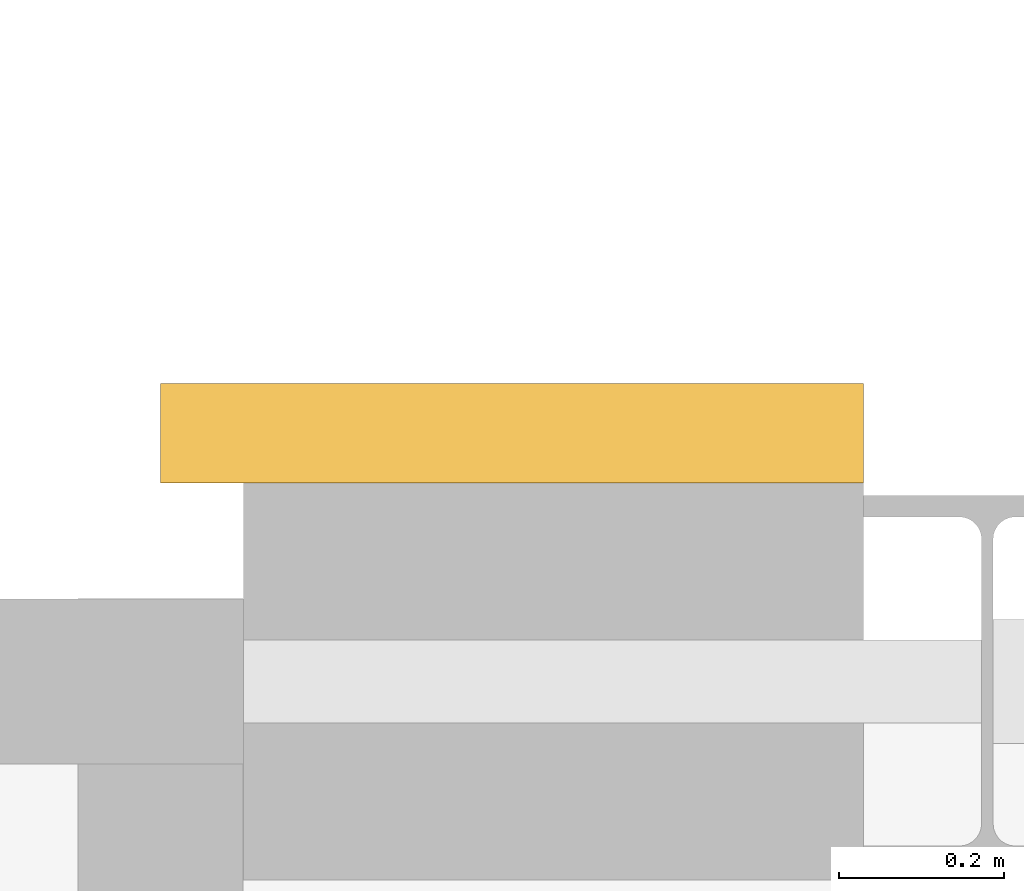
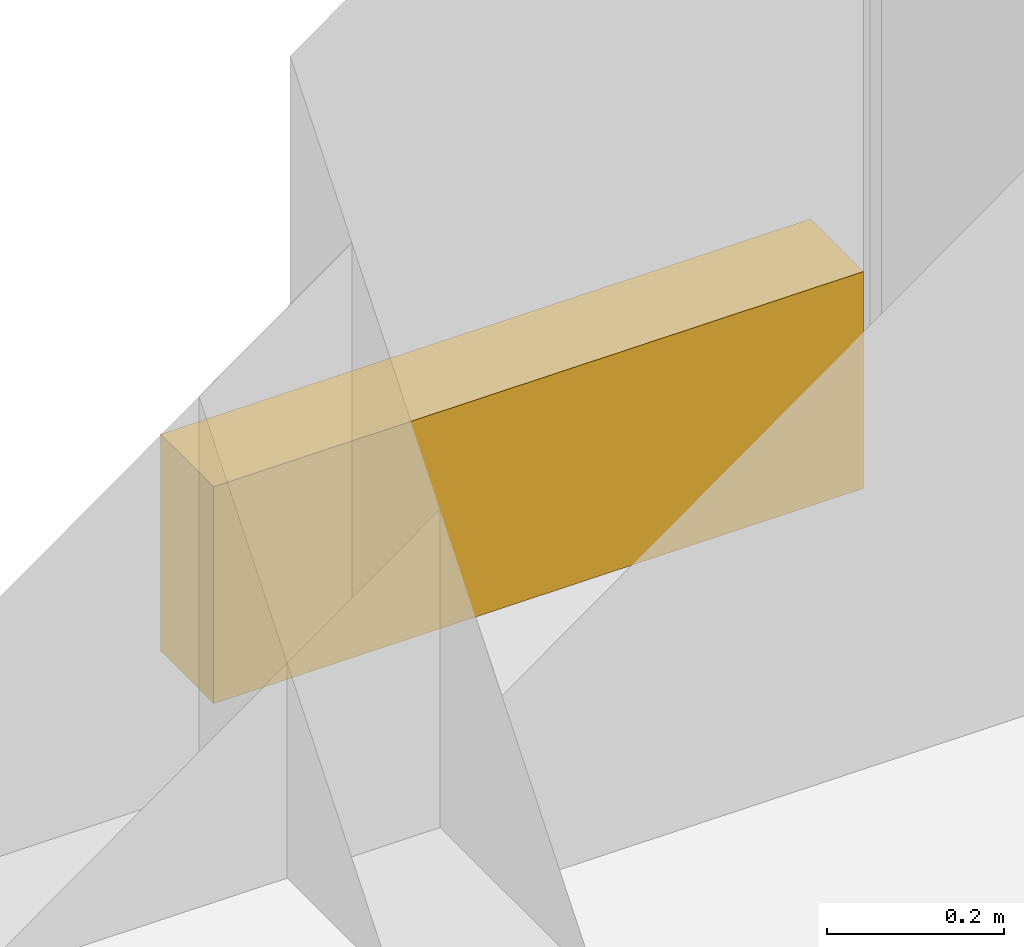
# One storey, part 122 of 124: 1 covering.
"""IFC4 building model written with IfcOpenShell, lengths in metres."""

from ifc_helpers import new_model, si_unit, direction, frame, origin, origin_2d, place, context, subcontext, project, spatial, rectangle, extrude, material, layer, layer_set, type_object, element, save


model = new_model("IFC4")

# Units and contexts
model_context = context("Model", 3, precision=1e-05, world=origin(), true_north=direction((0.0, 1.0)))
body_context = subcontext(model_context, "Body", "Model", "MODEL_VIEW")
ifc_project = project(units=[si_unit("LENGTHUNIT", "METRE"), si_unit("AREAUNIT", "SQUARE_METRE"), si_unit("VOLUMEUNIT", "CUBIC_METRE"), si_unit("PLANEANGLEUNIT", "RADIAN"), si_unit("MASSUNIT", "GRAM", prefix="KILO")], contexts=[model_context])

# Site, building, storey
site_placement = place(None, origin())
site = spatial("IfcSite", under=ifc_project, at=site_placement, CompositionType="ELEMENT")
building_placement = place(site_placement, origin())
building = spatial("IfcBuilding", under=site, at=building_placement, Name="Kupolbacken Congress Centre", CompositionType="ELEMENT")
storey_placement = place(building_placement, frame((0.0, 0.0, 10.800048828125)))
storey = spatial("IfcBuildingStorey", under=building, at=storey_placement, Name="L03", CompositionType="ELEMENT", Elevation=10.800048828125)

# Covering
ifc_material = material(Name="Limestone cladding", Category="masonry")
ifc_layer = layer(ifc_material, 0.1201171875)
ifc_layer_set = layer_set([ifc_layer], Name="Limestone cladding")
covering_type = type_object("IfcCoveringType", Name="CV1 limestone cladding band 120", PredefinedType="CLADDING", material=ifc_layer_set)
covering_placement = place(storey_placement, frame((143.425048828125, 151.5, 0.0), z_axis=(0.0, 0.0, 1.0), x_axis=(-1.0, 0.0, 0.0)))
element("IfcCovering", 1, at=covering_placement, inside=storey, type_object=covering_type, Name="E/BF/N/L03/316/band", PredefinedType="CLADDING", context=body_context, shape_type="SweptSolid", body=[
    extrude(rectangle(XDim=0.85009765625, YDim=0.1201171875, at=origin_2d()), origin(), (0.0, 0.0, 1.0), 0.300048828125),
])

save(model, "model.ifc")
